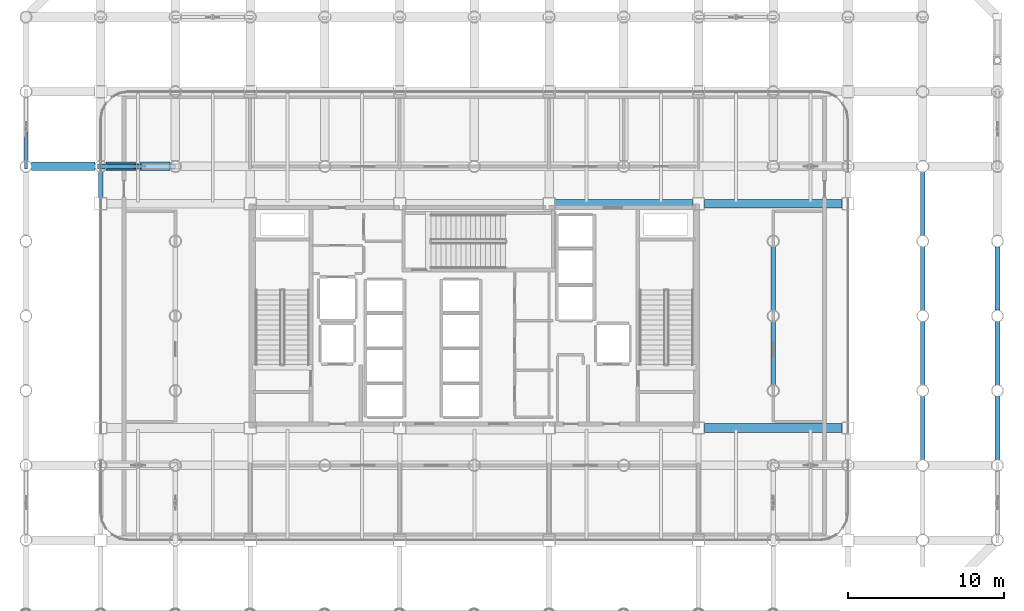
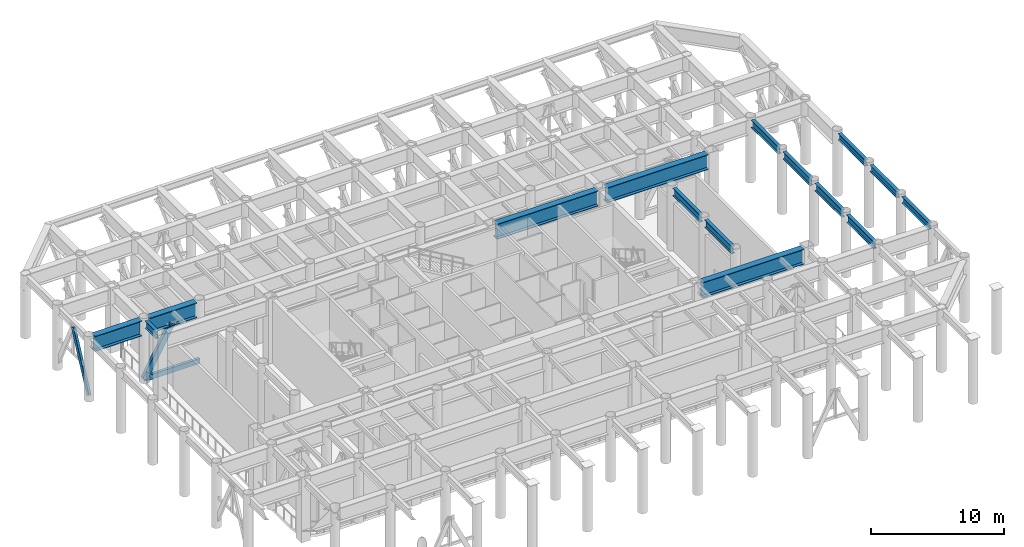
# One storey, part 7 of 19: 15 beams, 3 members.
"""IFC4 building model written with IfcOpenShell, lengths in metres."""

from ifc_helpers import new_model, si_unit, direction, frame, origin, origin_2d, place, context, subcontext, project, spatial, hollow_rectangle, i_section, extrude, material, material_profile, profile_set, type_object, element, save


model = new_model("IFC4")

# Units and contexts
model_context = context("Model", 3, precision=1e-05, world=origin(), true_north=direction((0.0, 1.0)))
body_context = subcontext(model_context, "Body", "Model", "MODEL_VIEW")
ifc_project = project(units=[si_unit("LENGTHUNIT", "METRE"), si_unit("AREAUNIT", "SQUARE_METRE"), si_unit("VOLUMEUNIT", "CUBIC_METRE"), si_unit("PLANEANGLEUNIT", "RADIAN"), si_unit("MASSUNIT", "GRAM", prefix="KILO")], contexts=[model_context])

# Site, building, storey
site_placement = place(None, origin())
site = spatial("IfcSite", under=ifc_project, at=site_placement, CompositionType="ELEMENT")
building_placement = place(site_placement, origin())
building = spatial("IfcBuilding", under=site, at=building_placement, Name="Kallvorn Hotel Tower", CompositionType="ELEMENT")
storey_placement = place(building_placement, frame((0.0, 0.0, 89.199951171875)))
storey = spatial("IfcBuildingStorey", under=building, at=storey_placement, Name="L21", CompositionType="ELEMENT", Elevation=89.199951171875)

# Beams
ifc_material_1 = material(Name="Structural steel S355JR", Category="steel")
ifc_material_profile_1 = material_profile(ifc_material_1, i_section(OverallWidth=0.300048828125, OverallDepth=0.60009765625, WebThickness=0.015380859375, FlangeThickness=0.030029296875, at=origin_2d()), Name="HE 600 B")
ifc_profile_set_1 = profile_set([ifc_material_profile_1], Name="Structural steel S355JR")
beam_type_1 = type_object("IfcBeamType", Name="BM_HE600B", PredefinedType="SPANDREL", material=ifc_profile_set_1)
beam_1_placement = place(storey_placement, frame((33.60009765625, -9.22900390625, 5.52001953125), z_axis=(0.0, 1.0, 0.0), x_axis=(-1.0, 0.0, 0.0)))
element("IfcBeam", 1, at=beam_1_placement, inside=storey, type_object=beam_type_1, Name="L22 Perimeter Spandrel 196", PredefinedType="SPANDREL", context=body_context, shape_type="SweptSolid", body=[
    extrude(i_section(OverallWidth=0.300048828125, OverallDepth=0.60009765625, WebThickness=0.015380859375, FlangeThickness=0.030029296875, at=origin_2d()), origin(), (0.0, 0.0, 1.0), 4.05810546875),
])
for number, where, z_axis, x_axis, name in (
    (2, (33.60009765625, -4.428955078125, 5.52001953125), (0.0, 1.0, 0.0), (-1.0, 0.0, 0.0), "L22 Perimeter Spandrel 197"),
    (3, (33.60009765625, 0.37109375, 5.52001953125), (0.0, 1.0, 0.0), (-1.0, 0.0, 0.0), "L22 Perimeter Spandrel 198"),
):
    element("IfcBeam", number, at=place(storey_placement, frame(where, z_axis=z_axis, x_axis=x_axis)), inside=storey, type_object=beam_type_1, Name=name, PredefinedType="SPANDREL", context=body_context, shape_type="SweptSolid", body=[
        extrude(i_section(OverallWidth=0.300048828125, OverallDepth=0.60009765625, WebThickness=0.015380859375, FlangeThickness=0.030029296875, at=origin_2d()), origin(), (0.0, 0.0, 1.0), 4.057861328125),
    ])
ifc_material_2 = material(Name="Structural steel S355JR", Category="steel")
ifc_material_profile_2 = material_profile(ifc_material_2, i_section(OverallWidth=0.300048828125, OverallDepth=0.699951171875, WebThickness=0.01708984375, FlangeThickness=0.031982421875, at=origin_2d()), Name="HE 700 B")
ifc_profile_set_2 = profile_set([ifc_material_profile_2], Name="Structural steel S355JR")
beam_type_2 = type_object("IfcBeamType", Name="BM_HE700B", PredefinedType="BEAM", material=ifc_profile_set_2)
beam_2_placement = place(storey_placement, frame((-24.0, 7.574951171875, 5.469970703125), z_axis=(0.0, 1.0, 0.0), x_axis=(-1.0, 0.0, 0.0)))
element("IfcBeam", 4, at=beam_2_placement, inside=storey, type_object=beam_type_2, Name="L22 Primary Y-Girder 98", PredefinedType="BEAM", context=body_context, shape_type="SweptSolid", body=[
    extrude(i_section(OverallWidth=0.300048828125, OverallDepth=0.699951171875, WebThickness=0.01708984375, FlangeThickness=0.031982421875, at=origin_2d()), origin(), (0.0, 0.0, 1.0), 1.6689453125),
])
for number, where, z_axis, x_axis, name in (
    (5, (19.199951171875, -4.444091796875, 5.469970703125), (0.0, 1.0, 0.0), (-1.0, 0.0, 0.0), "L22 Primary Y-Girder 143"),
    (6, (19.199951171875, 0.35595703125, 5.469970703125), (0.0, 1.0, 0.0), (-1.0, 0.0, 0.0), "L22 Primary Y-Girder 144"),
):
    element("IfcBeam", number, at=place(storey_placement, frame(where, z_axis=z_axis, x_axis=x_axis)), inside=storey, type_object=beam_type_2, Name=name, PredefinedType="BEAM", context=body_context, shape_type="SweptSolid", body=[
        extrude(i_section(OverallWidth=0.300048828125, OverallDepth=0.699951171875, WebThickness=0.01708984375, FlangeThickness=0.031982421875, at=origin_2d()), origin(), (0.0, 0.0, 1.0), 4.088134765625),
    ])
beam_3_placement = place(storey_placement, frame((28.800048828125, -9.243896484375, 5.469970703125), z_axis=(0.0, 1.0, 0.0), x_axis=(-1.0, 0.0, 0.0)))
element("IfcBeam", 7, at=beam_3_placement, inside=storey, type_object=beam_type_2, Name="L22 Primary Y-Girder 158", PredefinedType="BEAM", context=body_context, shape_type="SweptSolid", body=[
    extrude(i_section(OverallWidth=0.300048828125, OverallDepth=0.699951171875, WebThickness=0.01708984375, FlangeThickness=0.031982421875, at=origin_2d()), origin(), (0.0, 0.0, 1.0), 4.087890625),
])
for number, where, z_axis, x_axis, name in (
    (8, (28.800048828125, -4.444091796875, 5.469970703125), (0.0, 1.0, 0.0), (-1.0, 0.0, 0.0), "L22 Primary Y-Girder 159"),
    (9, (28.800048828125, 0.35595703125, 5.469970703125), (0.0, 1.0, 0.0), (-1.0, 0.0, 0.0), "L22 Primary Y-Girder 160"),
):
    element("IfcBeam", number, at=place(storey_placement, frame(where, z_axis=z_axis, x_axis=x_axis)), inside=storey, type_object=beam_type_2, Name=name, PredefinedType="BEAM", context=body_context, shape_type="SweptSolid", body=[
        extrude(i_section(OverallWidth=0.300048828125, OverallDepth=0.699951171875, WebThickness=0.01708984375, FlangeThickness=0.031982421875, at=origin_2d()), origin(), (0.0, 0.0, 1.0), 4.088134765625),
    ])
beam_4_placement = place(storey_placement, frame((28.800048828125, 5.156005859375, 5.469970703125), z_axis=(0.0, 1.0, 0.0), x_axis=(-1.0, 0.0, 0.0)))
element("IfcBeam", 10, at=beam_4_placement, inside=storey, type_object=beam_type_2, Name="L22 Primary Y-Girder 161", PredefinedType="BEAM", context=body_context, shape_type="SweptSolid", body=[
    extrude(i_section(OverallWidth=0.300048828125, OverallDepth=0.699951171875, WebThickness=0.01708984375, FlangeThickness=0.031982421875, at=origin_2d()), origin(), (0.0, 0.0, 1.0), 4.087890625),
])
ifc_material_3 = material(Name="Structural steel S355JR", Category="steel")
ifc_material_profile_3 = material_profile(ifc_material_3, i_section(OverallWidth=0.550048828125, OverallDepth=1.39990234375, WebThickness=0.02490234375, FlangeThickness=0.044921875, at=origin_2d()), Name="PG 1400x550x25x45")
ifc_profile_set_3 = profile_set([ifc_material_profile_3], Name="Structural steel S355JR")
beam_type_3 = type_object("IfcBeamType", Name="BM_PG_1400", PredefinedType="BEAM", material=ifc_profile_set_3)
beam_5_placement = place(storey_placement, frame((14.77490234375, -7.199951171875, 5.1201171875), z_axis=(1.0, 0.0, 0.0), x_axis=(0.0, 1.0, 0.0)))
element("IfcBeam", 11, at=beam_5_placement, inside=storey, type_object=beam_type_3, Name="L22 Primary X-Girder 49", PredefinedType="BEAM", context=body_context, shape_type="SweptSolid", body=[
    extrude(i_section(OverallWidth=0.550048828125, OverallDepth=1.39990234375, WebThickness=0.02490234375, FlangeThickness=0.044921875, at=origin_2d()), origin(), (0.0, 0.0, 1.0), 8.85009765625),
])
beam_6_placement = place(storey_placement, frame((5.175048828125, 7.199951171875, 5.1201171875), z_axis=(1.0, 0.0, 0.0), x_axis=(0.0, 1.0, 0.0)))
element("IfcBeam", 12, at=beam_6_placement, inside=storey, type_object=beam_type_3, Name="L22 Primary X-Girder 53", PredefinedType="BEAM", context=body_context, shape_type="SweptSolid", body=[
    extrude(i_section(OverallWidth=0.550048828125, OverallDepth=1.39990234375, WebThickness=0.02490234375, FlangeThickness=0.044921875, at=origin_2d()), origin(), (0.0, 0.0, 1.0), 8.849853515625),
])
beam_7_placement = place(storey_placement, frame((14.77490234375, 7.199951171875, 5.1201171875), z_axis=(1.0, 0.0, 0.0), x_axis=(0.0, 1.0, 0.0)))
element("IfcBeam", 13, at=beam_7_placement, inside=storey, type_object=beam_type_3, Name="L22 Primary X-Girder 54", PredefinedType="BEAM", context=body_context, shape_type="SweptSolid", body=[
    extrude(i_section(OverallWidth=0.550048828125, OverallDepth=1.39990234375, WebThickness=0.02490234375, FlangeThickness=0.044921875, at=origin_2d()), origin(), (0.0, 0.0, 1.0), 8.85009765625),
])
for number, where, z_axis, x_axis, name in (
    (14, (-28.444091796875, 9.60009765625, 5.1201171875), (1.0, 0.0, 0.0), (0.0, 1.0, 0.0), "L22 Primary X-Girder 55"),
    (15, (-23.64404296875, 9.60009765625, 5.1201171875), (1.0, 0.0, 0.0), (0.0, 1.0, 0.0), "L22 Primary X-Girder 56"),
):
    element("IfcBeam", number, at=place(storey_placement, frame(where, z_axis=z_axis, x_axis=x_axis)), inside=storey, type_object=beam_type_3, Name=name, PredefinedType="BEAM", context=body_context, shape_type="SweptSolid", body=[
        extrude(i_section(OverallWidth=0.550048828125, OverallDepth=1.39990234375, WebThickness=0.02490234375, FlangeThickness=0.044921875, at=origin_2d()), origin(), (0.0, 0.0, 1.0), 4.088134765625),
    ])

# Members
ifc_material_4 = material(Name="Structural steel S355J2H", Category="steel")
ifc_material_profile_4 = material_profile(ifc_material_4, hollow_rectangle(XDim=0.199951171875, YDim=0.39990234375, WallThickness=0.02001953125, at=origin_2d()), Name="RHS 400x200x20")
ifc_profile_set_4 = profile_set([ifc_material_profile_4], Name="Structural steel S355J2H")
member_type_1 = type_object("IfcMemberType", Name="MBR_BELT_RHS400", PredefinedType="BRACE", material=ifc_profile_set_4)
member_1_placement = place(storey_placement, frame((-28.800048828125, 9.60888671875, 0.3681640625), z_axis=(0.0, 0.439148786384, 0.898414349517), x_axis=(-1.0, 0.0, 0.0)))
element("IfcMember", 16, at=member_1_placement, inside=storey, type_object=member_type_1, Name="L21 Belt Truss Diagonal 6A", PredefinedType="BRACE", context=body_context, shape_type="SweptSolid", body=[
    extrude(hollow_rectangle(XDim=0.199951171875, YDim=0.39990234375, WallThickness=0.02001953125, at=origin_2d()), origin(), (0.0, 0.0, 1.0), 5.4248046875),
])
ifc_material_5 = material(Name="Structural steel S355J2H", Category="steel")
ifc_material_profile_5 = material_profile(ifc_material_5, hollow_rectangle(XDim=0.25, YDim=0.449951171875, WallThickness=0.02197265625, at=origin_2d()), Name="RHS 450x250x22")
ifc_profile_set_5 = profile_set([ifc_material_profile_5], Name="Structural steel S355J2H")
member_type_2 = type_object("IfcMemberType", Name="MBR_CHORD_RHS450", PredefinedType="CHORD", material=ifc_profile_set_5)
member_2_placement = place(storey_placement, frame((-24.0, 9.60009765625, 0.239990234375), z_axis=(1.0, 0.0, 0.0), x_axis=(0.0, 1.0, 0.0)))
element("IfcMember", 17, at=member_2_placement, inside=storey, type_object=member_type_2, Name="L21 Outrigger Truss Bottom Chord OTW2", PredefinedType="CHORD", context=body_context, shape_type="SweptSolid", body=[
    extrude(hollow_rectangle(XDim=0.25, YDim=0.449951171875, WallThickness=0.02197265625, at=origin_2d()), origin(), (0.0, 0.0, 1.0), 4.800048828125),
])
ifc_material_6 = material(Name="Structural steel S355J2H", Category="steel")
ifc_material_profile_6 = material_profile(ifc_material_6, hollow_rectangle(XDim=0.300048828125, YDim=0.5, WallThickness=0.02490234375, at=origin_2d()), Name="RHS 500x300x25")
ifc_profile_set_6 = profile_set([ifc_material_profile_6], Name="Structural steel S355J2H")
member_type_3 = type_object("IfcMemberType", Name="MBR_OUTRIGGER_RHS500", PredefinedType="BRACE", material=ifc_profile_set_6)
member_3_placement = place(storey_placement, frame((-24.0, 9.60009765625, 0.239990234375), z_axis=(0.485621958479, 0.0, 0.874168927292), x_axis=(0.0, 1.0, 0.0)))
element("IfcMember", 18, at=member_3_placement, inside=storey, type_object=member_type_3, Name="L21 Outrigger Truss Diagonal OTW2A", PredefinedType="BRACE", context=body_context, shape_type="SweptSolid", body=[
    extrude(hollow_rectangle(XDim=0.300048828125, YDim=0.5, WallThickness=0.02490234375, at=origin_2d()), origin(), (0.0, 0.0, 1.0), 4.94189453125),
])

save(model, "model.ifc")
